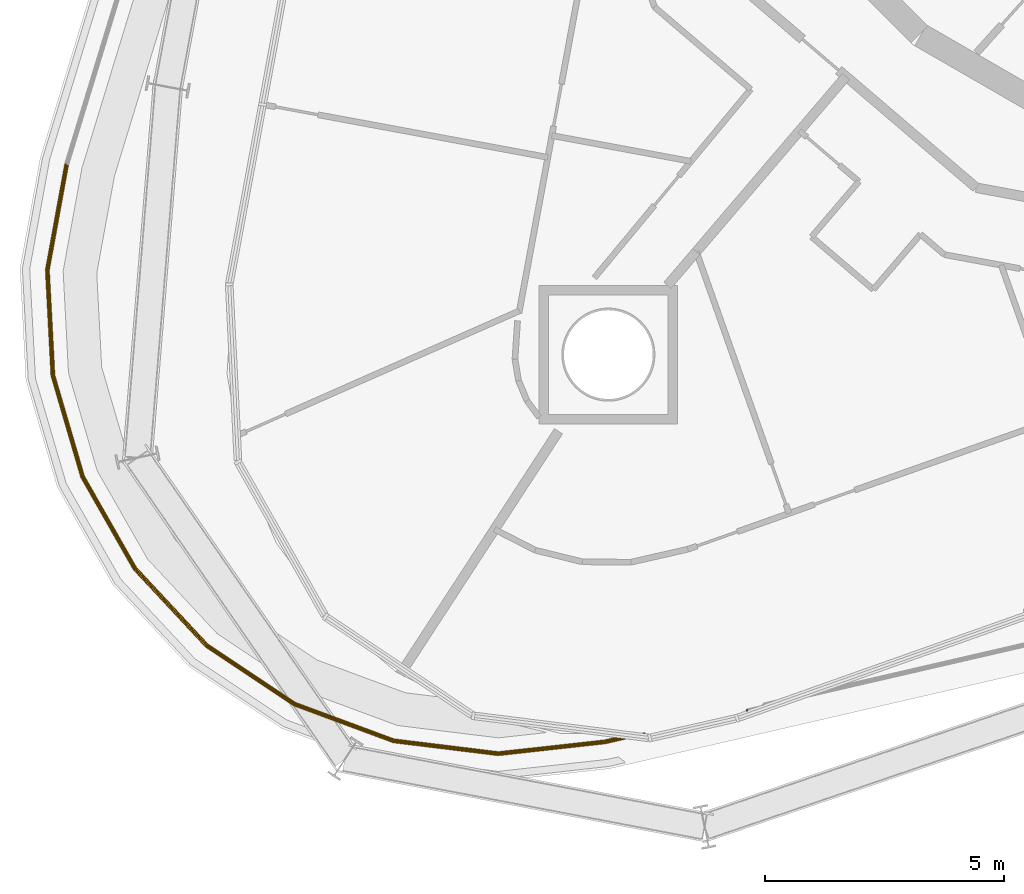
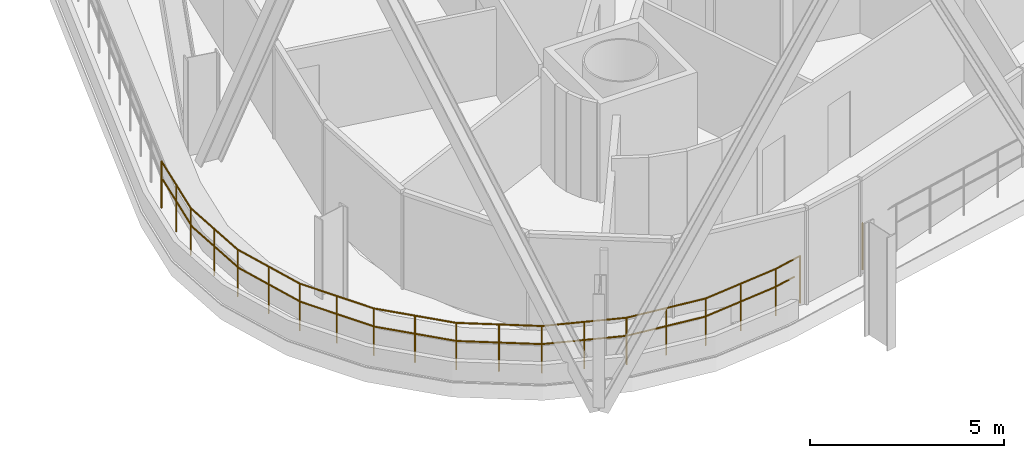
# One storey, part 17 of 25: 3 railings.
"""IFC4 building model written with IfcOpenShell, lengths in metres."""

from ifc_helpers import new_model, si_unit, direction, frame, origin, origin_2d, place, context, subcontext, project, spatial, circle, extrude, material, type_object, element, save


model = new_model("IFC4")

# Units and contexts
model_context = context("Model", 3, precision=1e-05, world=origin(), true_north=direction((0.0, 1.0)))
body_context = subcontext(model_context, "Body", "Model", "MODEL_VIEW")
ifc_project = project(units=[si_unit("LENGTHUNIT", "METRE"), si_unit("AREAUNIT", "SQUARE_METRE"), si_unit("VOLUMEUNIT", "CUBIC_METRE"), si_unit("PLANEANGLEUNIT", "RADIAN"), si_unit("MASSUNIT", "GRAM", prefix="KILO")], contexts=[model_context])

# Site, building, storey
site_placement = place(None, origin())
site = spatial("IfcSite", under=ifc_project, at=site_placement, CompositionType="ELEMENT")
building_placement = place(site_placement, origin())
building = spatial("IfcBuilding", under=site, at=building_placement, Name="Spindle Arch Residences", CompositionType="ELEMENT")
storey_placement = place(building_placement, frame((0.0, 0.0, 151.699951171875)))
storey = spatial("IfcBuildingStorey", under=building, at=storey_placement, Name="L37", CompositionType="ELEMENT", Elevation=151.699951171875)

# Railings
ifc_material_1 = material(Name="Bronze anodised aluminium guard with glass infill", Category="aluminium")
railing_type_1 = type_object("IfcRailingType", Name="Terrace guard 1500", PredefinedType="GUARDRAIL", material=ifc_material_1)
railing_1_placement = place(storey_placement, frame((-10.779296875, -23.467041015625, 0.030029296875)))
element("IfcRailing", 1, at=railing_1_placement, inside=storey, type_object=railing_type_1, Name="Terrace guard L36 2", PredefinedType="GUARDRAIL", context=body_context, shape_type="SweptSolid", body=[
    extrude(circle(Radius=0.02392578125, at=origin_2d()), frame((0.0, 0.0, 1.47607421875), z_axis=(0.337864753607, -0.941194670762, 0.0), x_axis=(0.941194670762, 0.337864753607, 0.0)), (0.0, 0.0, 1.0), 0.010009765625),
    extrude(circle(Radius=0.02099609375, at=origin_2d()), origin(), (0.0, 0.0, 1.0), 1.451904296875),
    extrude(circle(Radius=0.02099609375, at=origin_2d()), frame((0.00341796875, -0.009521484375, 0.0)), (0.0, 0.0, 1.0), 1.451904296875),
])
railing_2_placement = place(storey_placement, frame((-12.92041015625, -23.971435546875, 0.030029296875)))
element("IfcRailing", 2, at=railing_2_placement, inside=storey, type_object=railing_type_1, Name="Terrace guard L36 3", PredefinedType="GUARDRAIL", context=body_context, shape_type="SweptSolid", body=[
    extrude(circle(Radius=0.02392578125, at=origin_2d()), frame((0.0, 0.0, 1.47607421875), z_axis=(0.0, 1.0, 0.0), x_axis=(-1.0, 0.0, 0.0)), (0.0, 0.0, 1.0), 0.010009765625),
    extrude(circle(Radius=0.02392578125, at=origin_2d()), frame((0.0, 0.010009765625, 1.47607421875), z_axis=(-0.974381537542, -0.224901354593, 0.0), x_axis=(0.224901354593, -0.974381537542, 0.0)), (0.0, 0.0, 1.0), 0.85205078125),
    extrude(circle(Radius=0.02392578125, at=origin_2d()), frame((-0.830322265625, -0.181640625, 1.47607421875), z_axis=(-0.993886382245, -0.11040769533, 0.0), x_axis=(0.11040769533, -0.993886382245, 0.0)), (0.0, 0.0, 1.0), 2.248779296875),
    extrude(circle(Radius=0.02392578125, at=origin_2d()), frame((-3.0654296875, -0.429931640625, 1.47607421875), z_axis=(-0.992538311063, 0.121933182815, 0.0), x_axis=(-0.121933182815, -0.992538311063, 0.0)), (0.0, 0.0, 1.0), 2.216552734375),
    extrude(circle(Radius=0.02392578125, at=origin_2d()), frame((-5.265380859375, -0.15966796875, 1.47607421875), z_axis=(-0.937675663394, 0.347511654882, 0.0), x_axis=(-0.347511654882, -0.937675663394, 0.0)), (0.0, 0.0, 1.0), 2.216552734375),
    extrude(circle(Radius=0.02392578125, at=origin_2d()), frame((-7.34375, 0.610595703125, 1.47607421875), z_axis=(-0.832270522667, 0.554369711565, 0.0), x_axis=(-0.554369711565, -0.832270522667, 0.0)), (0.0, 0.0, 1.0), 2.216552734375),
    extrude(circle(Radius=0.02392578125, at=origin_2d()), frame((-9.1884765625, 1.83935546875, 1.47607421875), z_axis=(-0.682059181023, 0.731296980428, 0.0), x_axis=(-0.731296980428, -0.682059181023, 0.0)), (0.0, 0.0, 1.0), 2.21630859375),
    extrude(circle(Radius=0.02392578125, at=origin_2d()), frame((-10.7001953125, 3.460205078125, 1.47607421875), z_axis=(-0.494892913334, 0.868953971354, 0.0), x_axis=(-0.868953971354, -0.494892913334, 0.0)), (0.0, 0.0, 1.0), 2.216552734375),
    extrude(circle(Radius=0.02392578125, at=origin_2d()), frame((-11.797119140625, 5.38623046875, 1.47607421875), z_axis=(-0.281188243575, 0.959652630734, 0.0), x_axis=(-0.959652630734, -0.281188243575, 0.0)), (0.0, 0.0, 1.0), 2.216552734375),
    extrude(circle(Radius=0.02392578125, at=origin_2d()), frame((-12.42041015625, 7.513427734375, 1.47607421875), z_axis=(-0.05243164233, 0.998624515462, 0.0), x_axis=(-0.998624515462, -0.05243164233, 0.0)), (0.0, 0.0, 1.0), 2.21630859375),
    extrude(circle(Radius=0.02392578125, at=origin_2d()), frame((-12.53662109375, 9.726806640625, 1.47607421875), z_axis=(0.179468217093, 0.983763771977, 0.0), x_axis=(-0.983763771977, 0.179468217093, 0.0)), (0.0, 0.0, 1.0), 2.248779296875),
    extrude(circle(Radius=0.02099609375, at=origin_2d()), origin(), (0.0, 0.0, 1.0), 1.451904296875),
    extrude(circle(Radius=0.02099609375, at=origin_2d()), frame((0.0, 0.010009765625, 0.0)), (0.0, 0.0, 1.0), 1.451904296875),
    extrude(circle(Radius=0.02099609375, at=origin_2d()), frame((-0.830322265625, -0.181640625, 0.0)), (0.0, 0.0, 1.0), 1.451904296875),
    extrude(circle(Radius=0.02099609375, at=origin_2d()), frame((-1.94775390625, -0.3056640625, 0.0)), (0.0, 0.0, 1.0), 1.451904296875),
    extrude(circle(Radius=0.02099609375, at=origin_2d()), frame((-3.0654296875, -0.429931640625, 0.0)), (0.0, 0.0, 1.0), 1.451904296875),
    extrude(circle(Radius=0.02099609375, at=origin_2d()), frame((-4.16552734375, -0.294921875, 0.0)), (0.0, 0.0, 1.0), 1.451904296875),
    extrude(circle(Radius=0.02099609375, at=origin_2d()), frame((-5.265380859375, -0.15966796875, 0.0)), (0.0, 0.0, 1.0), 1.451904296875),
    extrude(circle(Radius=0.02099609375, at=origin_2d()), frame((-6.3046875, 0.2255859375, 0.0)), (0.0, 0.0, 1.0), 1.451904296875),
    extrude(circle(Radius=0.02099609375, at=origin_2d()), frame((-7.34375, 0.610595703125, 0.0)), (0.0, 0.0, 1.0), 1.451904296875),
    extrude(circle(Radius=0.02099609375, at=origin_2d()), frame((-8.26611328125, 1.22509765625, 0.0)), (0.0, 0.0, 1.0), 1.451904296875),
    extrude(circle(Radius=0.02099609375, at=origin_2d()), frame((-9.1884765625, 1.83935546875, 0.0)), (0.0, 0.0, 1.0), 1.451904296875),
    extrude(circle(Radius=0.02099609375, at=origin_2d()), frame((-9.9443359375, 2.64990234375, 0.0)), (0.0, 0.0, 1.0), 1.451904296875),
    extrude(circle(Radius=0.02099609375, at=origin_2d()), frame((-10.7001953125, 3.460205078125, 0.0)), (0.0, 0.0, 1.0), 1.451904296875),
    extrude(circle(Radius=0.02099609375, at=origin_2d()), frame((-11.24853515625, 4.42333984375, 0.0)), (0.0, 0.0, 1.0), 1.451904296875),
    extrude(circle(Radius=0.02099609375, at=origin_2d()), frame((-11.797119140625, 5.38623046875, 0.0)), (0.0, 0.0, 1.0), 1.451904296875),
    extrude(circle(Radius=0.02099609375, at=origin_2d()), frame((-12.10888671875, 6.44970703125, 0.0)), (0.0, 0.0, 1.0), 1.451904296875),
    extrude(circle(Radius=0.02099609375, at=origin_2d()), frame((-12.42041015625, 7.513427734375, 0.0)), (0.0, 0.0, 1.0), 1.451904296875),
    extrude(circle(Radius=0.02099609375, at=origin_2d()), frame((-12.478515625, 8.6201171875, 0.0)), (0.0, 0.0, 1.0), 1.451904296875),
    extrude(circle(Radius=0.02099609375, at=origin_2d()), frame((-12.53662109375, 9.726806640625, 0.0)), (0.0, 0.0, 1.0), 1.451904296875),
    extrude(circle(Radius=0.02099609375, at=origin_2d()), frame((-12.3349609375, 10.8330078125, 0.0)), (0.0, 0.0, 1.0), 1.451904296875),
    extrude(circle(Radius=0.02099609375, at=origin_2d()), frame((-12.133056640625, 11.93896484375, 0.0)), (0.0, 0.0, 1.0), 1.451904296875),
])
ifc_material_2 = material(Name="Bronze anodised aluminium handrail", Category="aluminium")
railing_type_2 = type_object("IfcRailingType", Name="Terrace handrail 900", PredefinedType="HANDRAIL", material=ifc_material_2)
railing_3_placement = place(storey_placement, frame((-13.100341796875, -23.969970703125, 0.030029296875)))
element("IfcRailing", 3, at=railing_3_placement, inside=storey, type_object=railing_type_2, Name="Terrace handrail L36 3", PredefinedType="HANDRAIL", context=body_context, shape_type="SweptSolid", body=[
    extrude(circle(Radius=0.02392578125, at=origin_2d()), frame((0.0, 0.0, 0.8759765625), z_axis=(0.0, 1.0, 0.0), x_axis=(-1.0, 0.0, 0.0)), (0.0, 0.0, 1.0), 0.010009765625),
    extrude(circle(Radius=0.02392578125, at=origin_2d()), frame((0.0, 0.010009765625, 0.8759765625), z_axis=(-0.974348492945, -0.22504447182, 0.0), x_axis=(0.22504447182, -0.974348492945, 0.0)), (0.0, 0.0, 1.0), 0.6748046875),
    extrude(circle(Radius=0.02392578125, at=origin_2d()), frame((-0.657470703125, -0.141845703125, 0.8759765625), z_axis=(-0.993906295127, -0.110228292676, 0.0), x_axis=(0.110228292676, -0.993906295127, 0.0)), (0.0, 0.0, 1.0), 2.241455078125),
    extrude(circle(Radius=0.02392578125, at=origin_2d()), frame((-2.88525390625, -0.388916015625, 0.8759765625), z_axis=(-0.992552845672, 0.121814812516, 0.0), x_axis=(-0.121814812516, -0.992552845672, 0.0)), (0.0, 0.0, 1.0), 2.20654296875),
    extrude(circle(Radius=0.02392578125, at=origin_2d()), frame((-5.075439453125, -0.1201171875, 0.8759765625), z_axis=(-0.937672664996, 0.347519745222, 0.0), x_axis=(-0.347519745222, -0.937672664996, 0.0)), (0.0, 0.0, 1.0), 2.20654296875),
    extrude(circle(Radius=0.02392578125, at=origin_2d()), frame((-7.14453125, 0.646728515625, 0.8759765625), z_axis=(-0.832271488676, 0.5543682613, 0.0), x_axis=(-0.5543682613, -0.832271488676, 0.0)), (0.0, 0.0, 1.0), 2.206787109375),
    extrude(circle(Radius=0.02392578125, at=origin_2d()), frame((-8.981201171875, 1.8701171875, 0.8759765625), z_axis=(-0.682002815193, 0.731349547117, 0.0), x_axis=(-0.731349547117, -0.682002815193, 0.0)), (0.0, 0.0, 1.0), 2.20654296875),
    extrude(circle(Radius=0.02392578125, at=origin_2d()), frame((-10.486083984375, 3.48388671875, 0.8759765625), z_axis=(-0.494970888795, 0.868909557575, 0.0), x_axis=(-0.868909557575, -0.494970888795, 0.0)), (0.0, 0.0, 1.0), 2.206787109375),
    extrude(circle(Radius=0.02392578125, at=origin_2d()), frame((-11.578369140625, 5.4013671875, 0.8759765625), z_axis=(-0.281231790355, 0.95963987, 0.0), x_axis=(-0.95963987, -0.281231790355, 0.0)), (0.0, 0.0, 1.0), 2.206787109375),
    extrude(circle(Radius=0.02392578125, at=origin_2d()), frame((-12.198974609375, 7.51904296875, 0.8759765625), z_axis=(-0.052332357539, 0.998629723348, 0.0), x_axis=(-0.998629723348, -0.052332357539, 0.0)), (0.0, 0.0, 1.0), 2.20654296875),
    extrude(circle(Radius=0.02392578125, at=origin_2d()), frame((-12.314453125, 9.72265625, 0.8759765625), z_axis=(0.179393423417, 0.983777413664, 0.0), x_axis=(-0.983777413664, 0.179393423417, 0.0)), (0.0, 0.0, 1.0), 2.241455078125),
])

save(model, "model.ifc")
